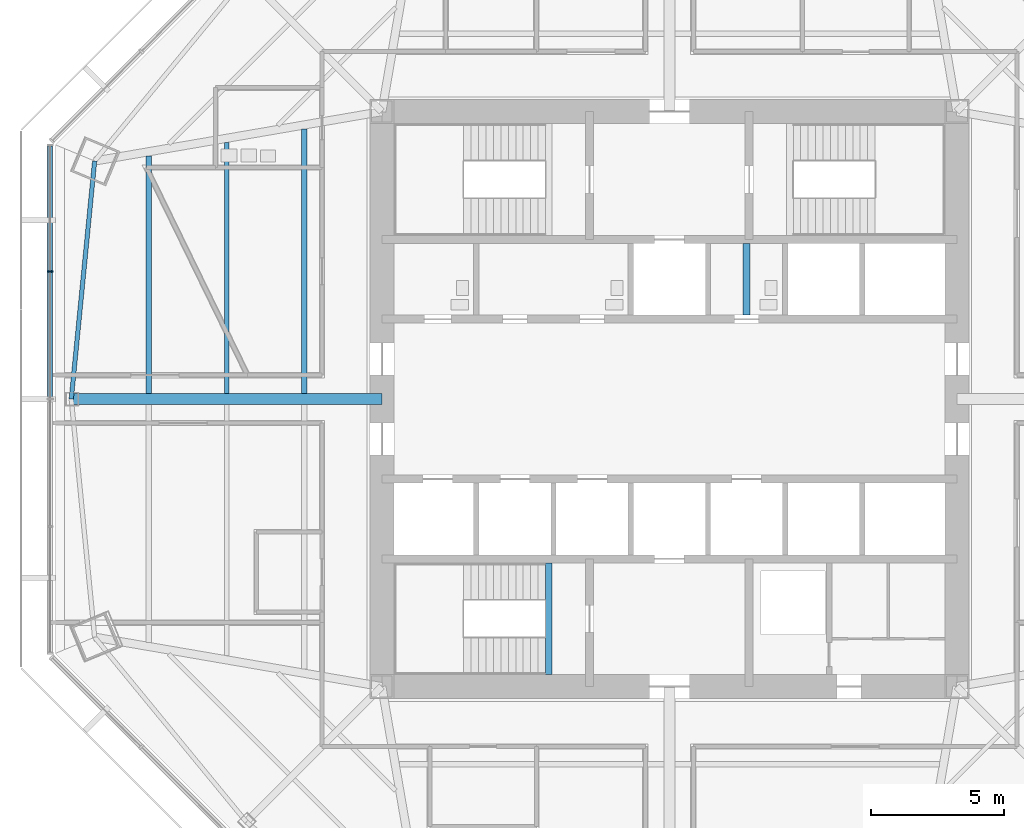
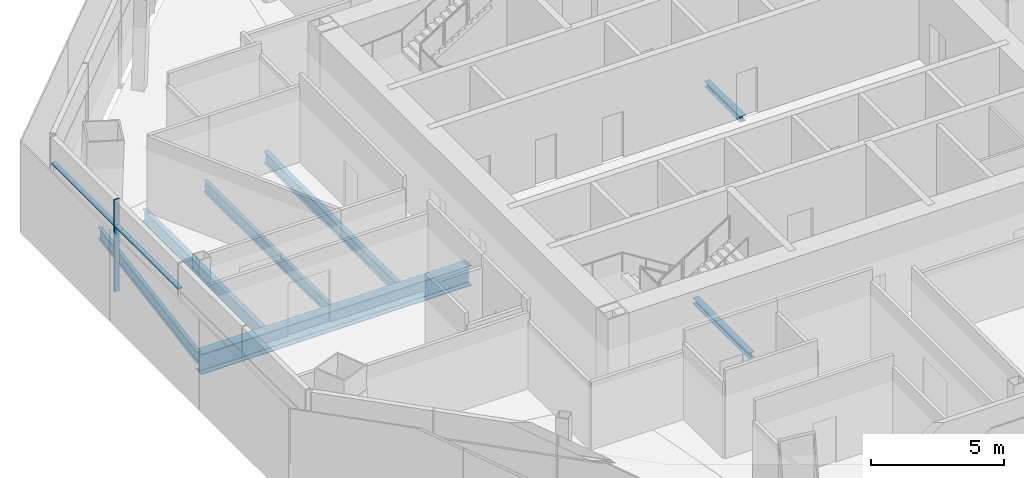
# One storey, part 3 of 15: 7 beams, 3 members, 1 element without a shape of its own.
"""IFC4 building model written with IfcOpenShell, lengths in metres."""

from ifc_helpers import new_model, si_unit, direction, frame, origin, origin_2d, place, context, subcontext, project, spatial, rectangle, i_section, extrude, source, transform, mapped, material, material_profile, profile_set, type_object, type_shapes, element, aggregate, save


model = new_model("IFC4")

# Units and contexts
model_context = context("Model", 3, precision=1e-05, world=origin(), true_north=direction((0.0, 1.0)))
body_context = subcontext(model_context, "Body", "Model", "MODEL_VIEW")
ifc_project = project(units=[si_unit("LENGTHUNIT", "METRE"), si_unit("AREAUNIT", "SQUARE_METRE"), si_unit("VOLUMEUNIT", "CUBIC_METRE"), si_unit("PLANEANGLEUNIT", "RADIAN"), si_unit("MASSUNIT", "GRAM", prefix="KILO")], contexts=[model_context])

# Site, building, storey
site_placement = place(None, origin())
site = spatial("IfcSite", under=ifc_project, at=site_placement, CompositionType="ELEMENT")
building_placement = place(site_placement, origin())
building = spatial("IfcBuilding", under=site, at=building_placement, Name="Mashrafa Tower", CompositionType="ELEMENT")
storey_placement = place(building_placement, frame((0.0, 0.0, 168.0)))
storey = spatial("IfcBuildingStorey", under=building, at=storey_placement, Name="L38", CompositionType="ELEMENT", Elevation=168.0)

# Beams
ifc_material_1 = material(Name="Steel ASTM A992", Category="steel")
ifc_material_profile_1 = material_profile(ifc_material_1, i_section(OverallWidth=0.1650390625, OverallDepth=0.52587890625, WebThickness=0.0087890625, FlangeThickness=0.011474609375, FilletRadius=0.0126953125, at=origin_2d()), Name="W21X44")
ifc_profile_set_1 = profile_set([ifc_material_profile_1], Name="Steel ASTM A992")
beam_type_1 = type_object("IfcBeamType", Name="Beam W21X44", PredefinedType="BEAM", material=ifc_profile_set_1)
beam_1_placement = place(storey_placement, frame((-16.63330078125, 0.20947265625, -0.427978515625), z_axis=(0.0, 1.0, 0.0), x_axis=(-1.0, 0.0, 0.0)))
element("IfcBeam", 1, at=beam_1_placement, inside=storey, type_object=beam_type_1, Name="Floor beam L38 005", PredefinedType="BEAM", context=body_context, shape_type="SweptSolid", body=[
    extrude(i_section(OverallWidth=0.1650390625, OverallDepth=0.52587890625, WebThickness=0.0087890625, FlangeThickness=0.011474609375, FilletRadius=0.0126953125, at=origin_2d()), origin(), (0.0, 0.0, 1.0), 9.43017578125),
])
beam_2_placement = place(storey_placement, frame((-21.588623046875, 8.9423828125, -0.427978515625), z_axis=(-0.097733423294, -0.995212629528, 0.0), x_axis=(0.995212629528, -0.097733423294, 0.0)))
element("IfcBeam", 2, at=beam_2_placement, inside=storey, type_object=beam_type_1, Name="Spandrel beam L38 059", PredefinedType="BEAM", context=body_context, shape_type="SweptSolid", body=[
    extrude(i_section(OverallWidth=0.1650390625, OverallDepth=0.52587890625, WebThickness=0.0087890625, FlangeThickness=0.011474609375, FilletRadius=0.0126953125, at=origin_2d()), origin(), (0.0, 0.0, 1.0), 8.9853515625),
])
ifc_material_2 = material(Name="Steel ASTM A992", Category="steel")
ifc_material_profile_2 = material_profile(ifc_material_2, i_section(OverallWidth=0.209228515625, OverallDepth=0.533447265625, WebThickness=0.01025390625, FlangeThickness=0.015625, FilletRadius=0.012939453125, at=origin_2d()), Name="W21X62")
ifc_profile_set_2 = profile_set([ifc_material_profile_2], Name="Steel ASTM A992")
beam_type_2 = type_object("IfcBeamType", Name="Beam W21X62", PredefinedType="BEAM", material=ifc_profile_set_2)
beam_3_placement = place(storey_placement, frame((-19.55029296875, 0.20947265625, -0.431640625), z_axis=(0.0, 1.0, 0.0), x_axis=(-1.0, 0.0, 0.0)))
element("IfcBeam", 3, at=beam_3_placement, inside=storey, type_object=beam_type_2, Name="Floor beam L38 002", PredefinedType="BEAM", context=body_context, shape_type="SweptSolid", body=[
    extrude(i_section(OverallWidth=0.209228515625, OverallDepth=0.533447265625, WebThickness=0.01025390625, FlangeThickness=0.015625, FilletRadius=0.012939453125, at=origin_2d()), origin(), (0.0, 0.0, 1.0), 8.927978515625),
])
beam_4_placement = place(storey_placement, frame((-13.716796875, 0.20947265625, -0.431640625), z_axis=(0.0, 1.0, 0.0), x_axis=(-1.0, 0.0, 0.0)))
element("IfcBeam", 4, at=beam_4_placement, inside=storey, type_object=beam_type_2, Name="Floor beam L38 010", PredefinedType="BEAM", context=body_context, shape_type="SweptSolid", body=[
    extrude(i_section(OverallWidth=0.209228515625, OverallDepth=0.533447265625, WebThickness=0.01025390625, FlangeThickness=0.015625, FilletRadius=0.012939453125, at=origin_2d()), origin(), (0.0, 0.0, 1.0), 9.932373046875),
])
ifc_material_3 = material(Name="Steel ASTM A992", Category="steel")
ifc_material_profile_3 = material_profile(ifc_material_3, i_section(OverallWidth=0.419189453125, OverallDepth=0.927001953125, WebThickness=0.019287109375, FlangeThickness=0.031982421875, FilletRadius=0.020263671875, at=origin_2d()), Name="W36X231")
ifc_profile_set_3 = profile_set([ifc_material_profile_3], Name="Steel ASTM A992")
beam_type_3 = type_object("IfcBeamType", Name="Beam W36X231", PredefinedType="BEAM", material=ifc_profile_set_3)
beam_5_placement = place(storey_placement, frame((-10.800048828125, 0.0, -0.628662109375), z_axis=(-1.0, 0.0, 0.0), x_axis=(0.0, -1.0, 0.0)))
element("IfcBeam", 5, at=beam_5_placement, inside=storey, type_object=beam_type_3, Name="Radial girder L38 044", PredefinedType="BEAM", context=body_context, shape_type="SweptSolid", body=[
    extrude(i_section(OverallWidth=0.419189453125, OverallDepth=0.927001953125, WebThickness=0.019287109375, FlangeThickness=0.031982421875, FilletRadius=0.020263671875, at=origin_2d()), origin(), (0.0, 0.0, 1.0), 11.666748046875),
])
ifc_material_4 = material(Name="Steel ASTM A992", Category="steel")
ifc_material_profile_4 = material_profile(ifc_material_4, i_section(OverallWidth=0.25390625, OverallDepth=0.25390625, WebThickness=0.008544921875, FlangeThickness=0.01416015625, FilletRadius=0.010009765625, at=origin_2d()), Name="W10X49")
ifc_profile_set_4 = profile_set([ifc_material_profile_4], Name="Steel ASTM A992")
beam_type_4 = type_object("IfcBeamType", Name="Hoistway beam W10X49", PredefinedType="BEAM", material=ifc_profile_set_4)
beam_6_placement = place(storey_placement, frame((2.89990234375, 3.14990234375, -0.2919921875), z_axis=(0.0, 1.0, 0.0), x_axis=(-1.0, 0.0, 0.0)))
element("IfcBeam", 6, at=beam_6_placement, inside=storey, type_object=beam_type_4, Name="Hoistway beam L38 06", PredefinedType="BEAM", context=body_context, shape_type="SweptSolid", body=[
    extrude(i_section(OverallWidth=0.25390625, OverallDepth=0.25390625, WebThickness=0.008544921875, FlangeThickness=0.01416015625, FilletRadius=0.010009765625, at=origin_2d()), origin(), (0.0, 0.0, 1.0), 2.7001953125),
])
beam_7_placement = place(storey_placement, frame((-4.530029296875, -10.35009765625, -0.326904296875), z_axis=(0.0, 1.0, 0.0), x_axis=(-1.0, 0.0, 0.0)))
element("IfcBeam", 7, at=beam_7_placement, inside=storey, type_object=beam_type_4, Name="Stair S3 landing beam L38", PredefinedType="BEAM", context=body_context, shape_type="SweptSolid", body=[
    extrude(i_section(OverallWidth=0.25390625, OverallDepth=0.25390625, WebThickness=0.008544921875, FlangeThickness=0.01416015625, FilletRadius=0.010009765625, at=origin_2d()), origin(), (0.0, 0.0, 1.0), 4.2001953125),
])

# Curtain wall, members
ifc_material_5 = material(Name="Unitised aluminium curtain wall", Category="aluminium")
curtain_wall_type = type_object("IfcCurtainWallType", Name="Office curtain wall, zone 2 CW-B 225 deep", PredefinedType="NOTDEFINED", material=ifc_material_5)
curtain_wall_placement = place(storey_placement, origin())
curtain_wall = element("IfcCurtainWall", 8, at=curtain_wall_placement, inside=storey, type_object=curtain_wall_type, Name="Office curtain wall, zone 2 L38 west", PredefinedType="NOTDEFINED")
ifc_material_6 = material(Name="Extruded aluminium mullion", Category="aluminium")
ifc_material_profile_5 = material_profile(ifc_material_6, rectangle(XDim=0.22509765625, YDim=0.06494140625, at=origin_2d()), Name="Mullion 65x225")
ifc_profile_set_5 = profile_set([ifc_material_profile_5], Name="Extruded aluminium mullion")
member_type_1 = type_object("IfcMemberType", Name="Mullion CW-B 65 x 225", PredefinedType="MULLION", material=ifc_profile_set_5)
shared_shape_1 = source(origin(), body_context, "Body", "SweptSolid", [
    extrude(rectangle(XDim=0.22509765625, YDim=0.06494140625, at=origin_2d()), origin(), (0.0, 0.0, 1.0), 4.199951171875),
])
type_shapes(member_type_1, [shared_shape_1])
member_1_placement = place(storey_placement, frame((-23.26220703125, 4.78955078125, 0.0), z_axis=(0.0, 0.0, 1.0), x_axis=(1.0, 0.0, 0.0)))
member_1 = element("IfcMember", 9, at=member_1_placement, type_object=member_type_1, Name="CW-B mullion 2", PredefinedType="MULLION", context=body_context, shape_type="MappedRepresentation", body=[
    mapped(shared_shape_1, transform((0.0, 0.0, 0.0))),
])
ifc_material_7 = material(Name="Extruded aluminium transom", Category="aluminium")
ifc_material_profile_6 = material_profile(ifc_material_7, rectangle(XDim=0.179931640625, YDim=0.080078125, at=origin_2d()), Name="Transom 80x180")
ifc_profile_set_6 = profile_set([ifc_material_profile_6], Name="Extruded aluminium transom")
member_type_2 = type_object("IfcMemberType", Name="Transom CW-B 80 x 180", PredefinedType="MULLION", material=ifc_profile_set_6)
shared_shape_2 = source(origin(), body_context, "Body", "SweptSolid", [
    extrude(rectangle(XDim=0.179931640625, YDim=0.080078125, at=origin_2d()), origin(), (0.0, 0.0, 1.0), 4.69189453125),
])
member_2_placement = place(storey_placement, frame((-23.26220703125, 9.513916015625, 3.0), z_axis=(0.0, -1.0, 0.0), x_axis=(1.0, 0.0, 0.0)))
member_2 = element("IfcMember", 10, at=member_2_placement, type_object=member_type_2, Name="CW-B transom 1", PredefinedType="MULLION", context=body_context, shape_type="MappedRepresentation", body=[
    mapped(shared_shape_2, transform((0.0, 0.0, 0.0))),
])
shared_shape_3 = source(origin(), body_context, "Body", "SweptSolid", [
    extrude(rectangle(XDim=0.179931640625, YDim=0.080078125, at=origin_2d()), origin(), (0.0, 0.0, 1.0), 4.724609375),
])
type_shapes(member_type_2, [shared_shape_2, shared_shape_3])
member_3_placement = place(storey_placement, frame((-23.26220703125, 4.757080078125, 3.0), z_axis=(0.0, -1.0, 0.0), x_axis=(1.0, 0.0, 0.0)))
member_3 = element("IfcMember", 11, at=member_3_placement, type_object=member_type_2, Name="CW-B transom 2", PredefinedType="MULLION", context=body_context, shape_type="MappedRepresentation", body=[
    mapped(shared_shape_3, transform((0.0, 0.0, 0.0))),
])
aggregate(curtain_wall, [member_1, member_2, member_3])

save(model, "model.ifc")
